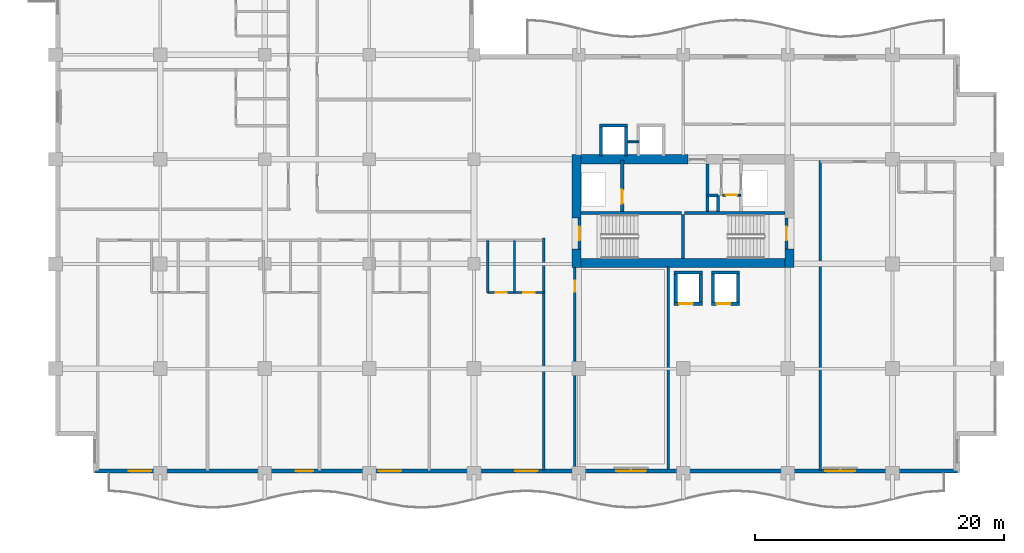
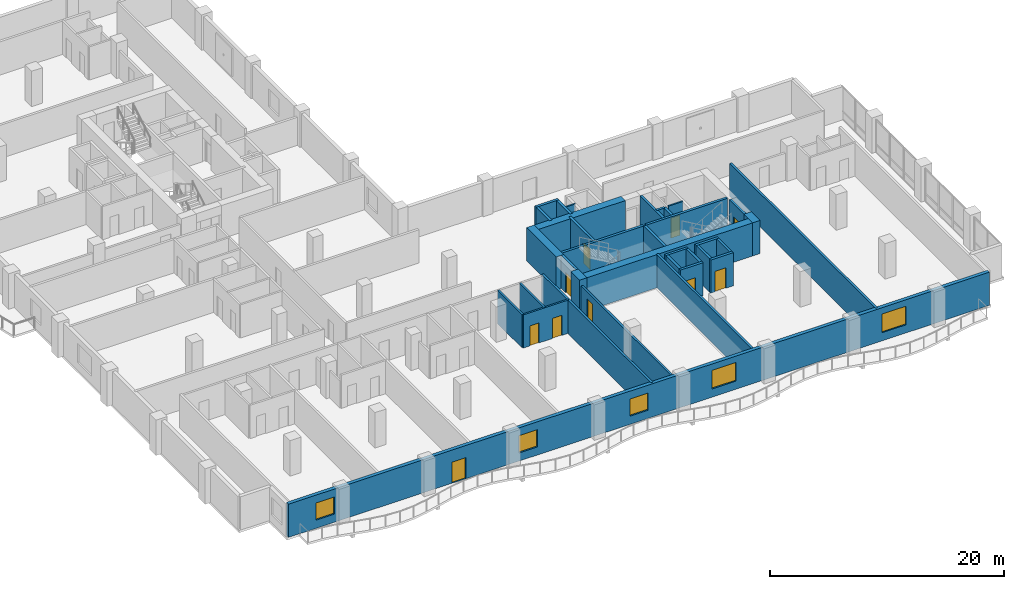
# One storey, part 10 of 22: 35 walls, 10 doors, 5 windows, 15 openings.
"""IFC4 building model written with IfcOpenShell, lengths in metres."""

from ifc_helpers import new_model, si_unit, direction, frame, frame_2d, origin, place, context, subcontext, project, spatial, rectangle, extrude, material, layer, layer_set, type_object, element, fill, save


model = new_model("IFC4")

# Units and contexts
model_context = context("Model", 3, precision=1e-05, world=origin(), true_north=direction((0.0, 1.0)))
body_context = subcontext(model_context, "Body", "Model", "MODEL_VIEW")
ifc_project = project(units=[si_unit("LENGTHUNIT", "METRE"), si_unit("AREAUNIT", "SQUARE_METRE"), si_unit("VOLUMEUNIT", "CUBIC_METRE"), si_unit("PLANEANGLEUNIT", "RADIAN"), si_unit("MASSUNIT", "GRAM", prefix="KILO")], contexts=[model_context])

# Site, building, storey
site_placement = place(None, origin())
site = spatial("IfcSite", under=ifc_project, at=site_placement, CompositionType="ELEMENT")
building_placement = place(site_placement, origin())
building = spatial("IfcBuilding", under=site, at=building_placement, Name="Koriwani Terraces Tower", CompositionType="ELEMENT")
storey_placement = place(building_placement, frame((0.0, 0.0, 168.0)))
storey = spatial("IfcBuildingStorey", under=building, at=storey_placement, Name="L40", CompositionType="ELEMENT", Elevation=168.0)

# Walls
ifc_material_1 = material(Name="Concrete C60/75", Category="concrete")
ifc_layer_1 = layer(ifc_material_1, 0.75, Name="Concrete C60/75")
ifc_layer_set_1 = layer_set([ifc_layer_1], Name="Concrete C60/75")
wall_type_1 = type_object("IfcWallType", Name="WALL_CORE_RC_750", PredefinedType="SHEAR", material=ifc_layer_set_1)
wall_1_placement = place(storey_placement, frame((41.824951171875, 16.5, 0.0), z_axis=(0.0, 0.0, 1.0), x_axis=(0.0, 1.0, 0.0)))
element("IfcWall", 1, at=wall_1_placement, inside=storey, type_object=wall_type_1, Name="L40 East Split Core Shear Wall W1", PredefinedType="SHEAR", context=body_context, shape_type="SweptSolid", body=[
    extrude(rectangle(XDim=1.5, YDim=0.75, at=frame_2d((0.75, 0.0))), origin(), (0.0, 0.0, 1.0), 3.469970703125),
])
wall_2_placement = place(storey_placement, frame((41.824951171875, 20.5, 0.0), z_axis=(0.0, 0.0, 1.0), x_axis=(0.0, 1.0, 0.0)))
element("IfcWall", 2, at=wall_2_placement, inside=storey, type_object=wall_type_1, Name="L40 East Split Core Shear Wall W2", PredefinedType="SHEAR", context=body_context, shape_type="SweptSolid", body=[
    extrude(rectangle(XDim=5.074951171875, YDim=0.75, at=frame_2d((2.53759765625, 0.0))), origin(), (0.0, 0.0, 1.0), 3.469970703125),
])
wall_3_placement = place(storey_placement, frame((58.925048828125, 16.5, 0.0), z_axis=(0.0, 0.0, 1.0), x_axis=(0.0, 1.0, 0.0)))
element("IfcWall", 3, at=wall_3_placement, inside=storey, type_object=wall_type_1, Name="L40 East Split Core Shear Wall E1", PredefinedType="SHEAR", context=body_context, shape_type="SweptSolid", body=[
    extrude(rectangle(XDim=1.5, YDim=0.75, at=frame_2d((0.75, 0.0))), origin(), (0.0, 0.0, 1.0), 3.469970703125),
])
wall_4_placement = place(storey_placement, frame((42.199951171875, 16.875, 0.0), z_axis=(0.0, 0.0, 1.0), x_axis=(1.0, 0.0, 0.0)))
element("IfcWall", 4, at=wall_4_placement, inside=storey, type_object=wall_type_1, Name="L40 East Split Core Shear Wall S1", PredefinedType="SHEAR", context=body_context, shape_type="SweptSolid", body=[
    extrude(rectangle(XDim=16.35009765625, YDim=0.75, at=frame_2d((8.175048828125, 0.0))), origin(), (0.0, 0.0, 1.0), 3.469970703125),
])
wall_5_placement = place(storey_placement, frame((42.199951171875, 25.199951171875, 0.0), z_axis=(0.0, 0.0, 1.0), x_axis=(1.0, 0.0, 0.0)))
element("IfcWall", 5, at=wall_5_placement, inside=storey, type_object=wall_type_1, Name="L40 East Split Core Shear Wall N1", PredefinedType="SHEAR", context=body_context, shape_type="SweptSolid", body=[
    extrude(rectangle(XDim=8.60009765625, YDim=0.75, at=frame_2d((4.300048828125, 0.0))), origin(), (0.0, 0.0, 1.0), 3.469970703125),
])

# Wall, opening, door
ifc_material_2 = material(Name="Autoclaved Cellular Concrete Blockwork", Category="masonry")
ifc_layer_2 = layer(ifc_material_2, 0.199951171875, Name="Autoclaved Cellular Concrete Blockwork")
ifc_layer_set_2 = layer_set([ifc_layer_2], Name="Autoclaved Cellular Concrete Blockwork")
wall_type_2 = type_object("IfcWallType", Name="WALL_CORRIDOR_200", PredefinedType="PARTITIONING", material=ifc_layer_set_2)
wall_6_placement = place(storey_placement, frame((41.699951171875, 0.35009765625, 0.0), z_axis=(0.0, 0.0, 1.0), x_axis=(0.0, 1.0, 0.0)))
wall_6 = element("IfcWall", 6, at=wall_6_placement, inside=storey, type_object=wall_type_2, Name="L40 Interior Wall WREC-EW-L40", PredefinedType="PARTITIONING", context=body_context, shape_type="SweptSolid", body=[
    extrude(rectangle(XDim=16.25, YDim=0.199951171875, at=frame_2d((8.125, 0.0))), origin(), (0.0, 0.0, 1.0), 2.820068359375),
])
opening_1_placement = place(wall_6_placement, frame((14.199951171875, 0.0, 0.0)))
opening_1 = element("IfcOpeningElement", 7, at=opening_1_placement, cuts=wall_6, Name="Opening D-06", PredefinedType="OPENING", context=body_context, shape_type="SweptSolid", body=[
    extrude(rectangle(XDim=0.919921875, YDim=2.10009765625, at=frame_2d((0.4599609375, 1.050048828125))), frame((0.0, 0.10986328125, 0.0), z_axis=(0.0, -1.0, 0.0), x_axis=(1.0, 0.0, 0.0)), (0.0, 0.0, 1.0), 0.219970703125),
])
ifc_material_3 = material(Name="Architectural Oak Fire Door", Category="wood")
door_type_1 = type_object("IfcDoorType", Name="DOOR_ROOM_INT_920X2100", OperationType="NOTDEFINED", PredefinedType="DOOR", material=ifc_material_3)
door_1_placement = place(opening_1_placement, origin())
door_1 = element("IfcDoor", 8, at=door_1_placement, inside=storey, type_object=door_type_1, Name="L40 Resident Co-Working Study Door", OperationType="SINGLE_SWING_LEFT", OverallHeight=2.10009765625, OverallWidth=0.919921875, PredefinedType="DOOR", context=body_context, shape_type="SweptSolid", body=[
    extrude(rectangle(XDim=0.919921875, YDim=2.10009765625, at=frame_2d((0.4599609375, 1.050048828125))), frame((0.0, 0.02490234375, 0.0), z_axis=(0.0, -1.0, 0.0), x_axis=(1.0, 0.0, 0.0)), (0.0, 0.0, 1.0), 0.050048828125),
])
fill(opening_1, door_1)

# Walls
ifc_layer_3 = layer(ifc_material_2, 0.219970703125, Name="Autoclaved Cellular Concrete Blockwork")
ifc_layer_set_3 = layer_set([ifc_layer_3], Name="Autoclaved Cellular Concrete Blockwork")
wall_type_3 = type_object("IfcWallType", Name="WALL_DEMISING_220", PredefinedType="PARTITIONING", material=ifc_layer_set_3)
wall_7_placement = place(storey_placement, frame((49.199951171875, 0.35009765625, 0.0), z_axis=(0.0, 0.0, 1.0), x_axis=(0.0, 1.0, 0.0)))
element("IfcWall", 9, at=wall_7_placement, inside=storey, type_object=wall_type_3, Name="L40 Interior Wall WREC-EE-L40", PredefinedType="PARTITIONING", context=body_context, shape_type="SweptSolid", body=[
    extrude(rectangle(XDim=16.25, YDim=0.219970703125, at=frame_2d((8.125, 0.0))), origin(), (0.0, 0.0, 1.0), 3.469970703125),
])
wall_8_placement = place(storey_placement, frame((39.199951171875, 0.199951171875, 0.0), z_axis=(0.0, 0.0, 1.0), x_axis=(0.0, 1.0, 0.0)))
element("IfcWall", 10, at=wall_8_placement, inside=storey, type_object=wall_type_3, Name="L40 Interior Wall WRDEME-L40-SW", PredefinedType="PARTITIONING", context=body_context, shape_type="SweptSolid", body=[
    extrude(rectangle(XDim=18.679931640625, YDim=0.219970703125, at=frame_2d((9.33984375, 0.0))), origin(), (0.0, 0.0, 1.0), 3.469970703125),
])
wall_9_placement = place(storey_placement, frame((61.39990234375, 0.199951171875, 0.0), z_axis=(0.0, 0.0, 1.0), x_axis=(0.0, 1.0, 0.0)))
element("IfcWall", 11, at=wall_9_placement, inside=storey, type_object=wall_type_3, Name="L40 Interior Wall WRDEM-L40-SE-0", PredefinedType="PARTITIONING", context=body_context, shape_type="SweptSolid", body=[
    extrude(rectangle(XDim=24.97998046875, YDim=0.219970703125, at=frame_2d((12.489990234375, 0.0))), origin(), (0.0, 0.0, 1.0), 3.469970703125),
])

# Wall, openings, door, windows
ifc_material_4 = material(Name="Concrete C50/60", Category="concrete")
ifc_layer_4 = layer(ifc_material_4, 0.35009765625, Name="Concrete C50/60")
ifc_layer_set_4 = layer_set([ifc_layer_4], Name="Concrete C50/60")
wall_type_4 = type_object("IfcWallType", Name="WALL_EXT_BRUTALIST_350", PredefinedType="STANDARD", material=ifc_layer_set_4)
wall_10_placement = place(storey_placement, frame((72.425048828125, 0.175048828125, 0.0), z_axis=(0.0, 0.0, 1.0), x_axis=(-1.0, 0.0, 0.0)))
wall_10 = element("IfcWall", 12, at=wall_10_placement, inside=storey, type_object=wall_type_4, Name="L40 Fair-Faced Brutalist Exterior Wall (S)", PredefinedType="STANDARD", context=body_context, shape_type="SweptSolid", body=[
    extrude(rectangle(XDim=69.25, YDim=0.35009765625, at=frame_2d((34.625, 0.0))), origin(), (0.0, 0.0, 1.0), 3.469970703125),
])
opening_2_placement = place(wall_10_placement, frame((51.72509765625, 0.0, 0.0)))
opening_2 = element("IfcOpeningElement", 13, at=opening_2_placement, cuts=wall_10, Name="Opening D-09", PredefinedType="OPENING", context=body_context, shape_type="SweptSolid", body=[
    extrude(rectangle(XDim=1.39990234375, YDim=2.199951171875, at=frame_2d((0.699951171875, 1.10009765625))), frame((0.0, 0.18505859375, 0.0), z_axis=(0.0, -1.0, 0.0), x_axis=(1.0, 0.0, 0.0)), (0.0, 0.0, 1.0), 0.3701171875),
])
opening_3_placement = place(wall_10_placement, frame((33.72509765625, 0.0, 0.85009765625)))
opening_3 = element("IfcOpeningElement", 14, at=opening_3_placement, cuts=wall_10, Name="Opening W-04", PredefinedType="OPENING", context=body_context, shape_type="SweptSolid", body=[
    extrude(rectangle(XDim=1.800048828125, YDim=1.800048828125, at=frame_2d((0.89990234375, 0.89990234375))), frame((0.0, 0.18505859375, 0.0), z_axis=(0.0, -1.0, 0.0), x_axis=(1.0, 0.0, 0.0)), (0.0, 0.0, 1.0), 0.3701171875),
])
opening_4_placement = place(wall_10_placement, frame((25.02490234375, 0.0, 0.85009765625)))
opening_4 = element("IfcOpeningElement", 15, at=opening_4_placement, cuts=wall_10, Name="Opening W-03", PredefinedType="OPENING", context=body_context, shape_type="SweptSolid", body=[
    extrude(rectangle(XDim=2.39990234375, YDim=1.949951171875, at=frame_2d((1.199951171875, 0.97509765625))), frame((0.0, 0.18505859375, 0.0), z_axis=(0.0, -1.0, 0.0), x_axis=(1.0, 0.0, 0.0)), (0.0, 0.0, 1.0), 0.3701171875),
])
opening_5_placement = place(wall_10_placement, frame((8.22509765625, 0.0, 0.85009765625)))
opening_5 = element("IfcOpeningElement", 16, at=opening_5_placement, cuts=wall_10, Name="Opening W-03", PredefinedType="OPENING", context=body_context, shape_type="SweptSolid", body=[
    extrude(rectangle(XDim=2.39990234375, YDim=1.949951171875, at=frame_2d((1.199951171875, 0.97509765625))), frame((0.0, 0.18505859375, 0.0), z_axis=(0.0, -1.0, 0.0), x_axis=(1.0, 0.0, 0.0)), (0.0, 0.0, 1.0), 0.3701171875),
])
opening_6_placement = place(wall_10_placement, frame((64.72509765625, 0.0, 0.85009765625)))
opening_6 = element("IfcOpeningElement", 17, at=opening_6_placement, cuts=wall_10, Name="Opening W-04", PredefinedType="OPENING", context=body_context, shape_type="SweptSolid", body=[
    extrude(rectangle(XDim=1.800048828125, YDim=1.800048828125, at=frame_2d((0.89990234375, 0.89990234375))), frame((0.0, 0.18505859375, 0.0), z_axis=(0.0, -1.0, 0.0), x_axis=(1.0, 0.0, 0.0)), (0.0, 0.0, 1.0), 0.3701171875),
])
opening_7_placement = place(wall_10_placement, frame((44.675048828125, 0.0, 0.85009765625)))
opening_7 = element("IfcOpeningElement", 18, at=opening_7_placement, cuts=wall_10, Name="Opening W-04", PredefinedType="OPENING", context=body_context, shape_type="SweptSolid", body=[
    extrude(rectangle(XDim=1.800048828125, YDim=1.800048828125, at=frame_2d((0.89990234375, 0.89990234375))), frame((0.0, 0.18505859375, 0.0), z_axis=(0.0, -1.0, 0.0), x_axis=(1.0, 0.0, 0.0)), (0.0, 0.0, 1.0), 0.3701171875),
])
ifc_material_5 = material(Name="Anodised Bronze Aluminium", Category="aluminium")
door_type_2 = type_object("IfcDoorType", Name="DOOR_BALCONY_GLAZED_1400X2200", OperationType="NOTDEFINED", PredefinedType="DOOR", material=ifc_material_5)
door_2_placement = place(opening_2_placement, origin())
door_2 = element("IfcDoor", 19, at=door_2_placement, inside=storey, type_object=door_type_2, Name="L40 South Balcony Glazed Door", OperationType="SINGLE_SWING_LEFT", OverallHeight=2.199951171875, OverallWidth=1.39990234375, PredefinedType="DOOR", context=body_context, shape_type="SweptSolid", body=[
    extrude(rectangle(XDim=1.39990234375, YDim=2.199951171875, at=frame_2d((0.699951171875, 1.10009765625))), frame((0.0, 0.02490234375, 0.0), z_axis=(0.0, -1.0, 0.0), x_axis=(1.0, 0.0, 0.0)), (0.0, 0.0, 1.0), 0.050048828125),
])
fill(opening_2, door_2)
ifc_material_6 = material(Name="Tempered Laminated Low-E Glass", Category="glass")
window_type_1 = type_object("IfcWindowType", Name="WIN_RES_BED_1800X1800", PartitioningType="DOUBLE_PANEL_VERTICAL", PredefinedType="WINDOW", material=ifc_material_6)
window_1_placement = place(opening_3_placement, origin())
window_1 = element("IfcWindow", 20, at=window_1_placement, inside=storey, type_object=window_type_1, Name="L40 Exterior Window (S-12)", OverallHeight=1.800048828125, OverallWidth=1.800048828125, PartitioningType="SINGLE_PANEL", PredefinedType="WINDOW", context=body_context, shape_type="SweptSolid", body=[
    extrude(rectangle(XDim=1.800048828125, YDim=1.800048828125, at=frame_2d((0.89990234375, 0.89990234375))), frame((0.0, 0.030029296875, 0.0), z_axis=(0.0, -1.0, 0.0), x_axis=(1.0, 0.0, 0.0)), (0.0, 0.0, 1.0), 0.06005859375),
])
fill(opening_3, window_1)
window_2_placement = place(opening_6_placement, origin())
window_2 = element("IfcWindow", 21, at=window_2_placement, inside=storey, type_object=window_type_1, Name="L40 Exterior Window (S-R35)", OverallHeight=1.800048828125, OverallWidth=1.800048828125, PartitioningType="SINGLE_PANEL", PredefinedType="WINDOW", context=body_context, shape_type="SweptSolid", body=[
    extrude(rectangle(XDim=1.800048828125, YDim=1.800048828125, at=frame_2d((0.89990234375, 0.89990234375))), frame((0.0, 0.030029296875, 0.0), z_axis=(0.0, -1.0, 0.0), x_axis=(1.0, 0.0, 0.0)), (0.0, 0.0, 1.0), 0.06005859375),
])
fill(opening_6, window_2)
window_3_placement = place(opening_7_placement, origin())
window_3 = element("IfcWindow", 22, at=window_3_placement, inside=storey, type_object=window_type_1, Name="L40 Exterior Window (S-R41)", OverallHeight=1.800048828125, OverallWidth=1.800048828125, PartitioningType="SINGLE_PANEL", PredefinedType="WINDOW", context=body_context, shape_type="SweptSolid", body=[
    extrude(rectangle(XDim=1.800048828125, YDim=1.800048828125, at=frame_2d((0.89990234375, 0.89990234375))), frame((0.0, 0.030029296875, 0.0), z_axis=(0.0, -1.0, 0.0), x_axis=(1.0, 0.0, 0.0)), (0.0, 0.0, 1.0), 0.06005859375),
])
fill(opening_7, window_3)
window_type_2 = type_object("IfcWindowType", Name="WIN_RES_LIVING_2400X1950", PartitioningType="DOUBLE_PANEL_VERTICAL", PredefinedType="WINDOW", material=ifc_material_6)
window_4_placement = place(opening_4_placement, origin())
window_4 = element("IfcWindow", 23, at=window_4_placement, inside=storey, type_object=window_type_2, Name="L40 Exterior Window (S-15)", OverallHeight=1.949951171875, OverallWidth=2.39990234375, PartitioningType="SINGLE_PANEL", PredefinedType="WINDOW", context=body_context, shape_type="SweptSolid", body=[
    extrude(rectangle(XDim=2.39990234375, YDim=1.949951171875, at=frame_2d((1.199951171875, 0.97509765625))), frame((0.0, 0.030029296875, 0.0), z_axis=(0.0, -1.0, 0.0), x_axis=(1.0, 0.0, 0.0)), (0.0, 0.0, 1.0), 0.06005859375),
])
fill(opening_4, window_4)
window_5_placement = place(opening_5_placement, origin())
window_5 = element("IfcWindow", 24, at=window_5_placement, inside=storey, type_object=window_type_2, Name="L40 Exterior Window (S-21)", OverallHeight=1.949951171875, OverallWidth=2.39990234375, PartitioningType="SINGLE_PANEL", PredefinedType="WINDOW", context=body_context, shape_type="SweptSolid", body=[
    extrude(rectangle(XDim=2.39990234375, YDim=1.949951171875, at=frame_2d((1.199951171875, 0.97509765625))), frame((0.0, 0.030029296875, 0.0), z_axis=(0.0, -1.0, 0.0), x_axis=(1.0, 0.0, 0.0)), (0.0, 0.0, 1.0), 0.06005859375),
])
fill(opening_5, window_5)

# Wall, openings, doors
ifc_material_7 = material(Name="Fire-Rated Acoustic Gypsum Partition", Category="masonry")
ifc_layer_5 = layer(ifc_material_7, 0.179931640625, Name="Fire-Rated Acoustic Gypsum Partition")
ifc_layer_set_5 = layer_set([ifc_layer_5], Name="Fire-Rated Acoustic Gypsum Partition")
wall_type_5 = type_object("IfcWallType", Name="WALL_PLUMBING_180", PredefinedType="PLUMBINGWALL", material=ifc_layer_set_5)
wall_11_placement = place(storey_placement, frame((34.699951171875, 14.5, 0.0), z_axis=(0.0, 0.0, 1.0), x_axis=(1.0, 0.0, 0.0)))
wall_11 = element("IfcWall", 25, at=wall_11_placement, inside=storey, type_object=wall_type_5, Name="L40 Interior Wall WRSVC-L40-SW-3", PredefinedType="PLUMBINGWALL", context=body_context, shape_type="SweptSolid", body=[
    extrude(rectangle(XDim=4.5, YDim=0.179931640625, at=frame_2d((2.25, 0.0))), origin(), (0.0, 0.0, 1.0), 3.469970703125),
])
opening_8_placement = place(wall_11_placement, frame((0.6298828125, 0.0, 0.0)))
opening_8 = element("IfcOpeningElement", 26, at=opening_8_placement, cuts=wall_11, Name="Opening D-07", PredefinedType="OPENING", context=body_context, shape_type="SweptSolid", body=[
    extrude(rectangle(XDim=0.89990234375, YDim=2.10009765625, at=frame_2d((0.449951171875, 1.050048828125))), frame((0.0, 0.10009765625, 0.0), z_axis=(0.0, -1.0, 0.0), x_axis=(1.0, 0.0, 0.0)), (0.0, 0.0, 1.0), 0.199951171875),
])
opening_9_placement = place(wall_11_placement, frame((2.8701171875, 0.0, 0.0)))
opening_9 = element("IfcOpeningElement", 27, at=opening_9_placement, cuts=wall_11, Name="Opening D-06", PredefinedType="OPENING", context=body_context, shape_type="SweptSolid", body=[
    extrude(rectangle(XDim=0.919921875, YDim=2.10009765625, at=frame_2d((0.4599609375, 1.050048828125))), frame((0.0, 0.10009765625, 0.0), z_axis=(0.0, -1.0, 0.0), x_axis=(1.0, 0.0, 0.0)), (0.0, 0.0, 1.0), 0.199951171875),
])
door_type_3 = type_object("IfcDoorType", Name="DOOR_BATH_INT_900X2100", OperationType="NOTDEFINED", PredefinedType="DOOR", material=ifc_material_3)
door_3_placement = place(opening_8_placement, origin())
door_3 = element("IfcDoor", 28, at=door_3_placement, inside=storey, type_object=door_type_3, Name="Apartment 40SW4 Bathroom Door", OperationType="SINGLE_SWING_RIGHT", OverallHeight=2.10009765625, OverallWidth=0.89990234375, PredefinedType="DOOR", context=body_context, shape_type="SweptSolid", body=[
    extrude(rectangle(XDim=0.89990234375, YDim=2.10009765625, at=frame_2d((0.449951171875, 1.050048828125))), frame((0.0, 0.02490234375, 0.0), z_axis=(0.0, -1.0, 0.0), x_axis=(1.0, 0.0, 0.0)), (0.0, 0.0, 1.0), 0.050048828125),
])
fill(opening_8, door_3)
door_4_placement = place(opening_9_placement, origin())
door_4 = element("IfcDoor", 29, at=door_4_placement, inside=storey, type_object=door_type_1, Name="Apartment 40SW4 Kitchen Door", OperationType="SINGLE_SWING_LEFT", OverallHeight=2.10009765625, OverallWidth=0.919921875, PredefinedType="DOOR", context=body_context, shape_type="SweptSolid", body=[
    extrude(rectangle(XDim=0.919921875, YDim=2.10009765625, at=frame_2d((0.4599609375, 1.050048828125))), frame((0.0, 0.02490234375, 0.0), z_axis=(0.0, -1.0, 0.0), x_axis=(1.0, 0.0, 0.0)), (0.0, 0.0, 1.0), 0.050048828125),
])
fill(opening_9, door_4)

# Walls
for number, where, z_axis, x_axis, name in (
    (30, (34.699951171875, 14.5, 0.0), (0.0, 0.0, 1.0), (0.0, 1.0, 0.0), "L40 Interior Wall WRSVCS-L40-SW-3"),
    (31, (36.860107421875, 14.5, 0.0), (0.0, 0.0, 1.0), (0.0, 1.0, 0.0), "L40 Interior Wall WRSVCM-L40-SW-3"),
):
    element("IfcWall", number, at=place(storey_placement, frame(where, z_axis=z_axis, x_axis=x_axis)), inside=storey, type_object=wall_type_5, Name=name, PredefinedType="PLUMBINGWALL", context=body_context, shape_type="SweptSolid", body=[
        extrude(rectangle(XDim=4.199951171875, YDim=0.179931640625, at=frame_2d((2.10009765625, 0.0))), origin(), (0.0, 0.0, 1.0), 3.469970703125),
    ])
ifc_material_8 = material(Name="Concrete C40/50", Category="concrete")
ifc_layer_6 = layer(ifc_material_8, 0.25, Name="Concrete C40/50")
ifc_layer_set_6 = layer_set([ifc_layer_6], Name="Concrete C40/50")
wall_type_6 = type_object("IfcWallType", Name="WALL_SHAFT_RATED_250", PredefinedType="SOLIDWALL", material=ifc_layer_set_6)
for number, where, z_axis, x_axis, name in (
    (32, (42.199951171875, 20.875, 0.0), (0.0, 0.0, 1.0), (1.0, 0.0, 0.0), "L40 East Split Core Web Wall MID1"),
    (33, (50.5, 20.875, 0.0), (0.0, 0.0, 1.0), (1.0, 0.0, 0.0), "L40 East Split Core Web Wall MID2"),
):
    element("IfcWall", number, at=place(storey_placement, frame(where, z_axis=z_axis, x_axis=x_axis)), inside=storey, type_object=wall_type_6, Name=name, PredefinedType="SOLIDWALL", context=body_context, shape_type="SweptSolid", body=[
        extrude(rectangle(XDim=8.050048828125, YDim=0.25, at=frame_2d((4.02490234375, 0.0))), origin(), (0.0, 0.0, 1.0), 3.469970703125),
    ])
wall_12_placement = place(storey_placement, frame((50.375, 17.25, 0.0), z_axis=(0.0, 0.0, 1.0), x_axis=(0.0, 1.0, 0.0)))
element("IfcWall", 34, at=wall_12_placement, inside=storey, type_object=wall_type_6, Name="L40 East Split Core Stair Dividing Wall", PredefinedType="SOLIDWALL", context=body_context, shape_type="SweptSolid", body=[
    extrude(rectangle(XDim=3.5, YDim=0.25, at=frame_2d((1.75, 0.0))), origin(), (0.0, 0.0, 1.0), 3.469970703125),
])

# Wall, opening, door
wall_13_placement = place(storey_placement, frame((42.074951171875, 18.0, 0.0), z_axis=(0.0, 0.0, 1.0), x_axis=(0.0, 1.0, 0.0)))
wall_13 = element("IfcWall", 35, at=wall_13_placement, inside=storey, type_object=wall_type_6, Name="L40 Interior Wall WIN-CE-L40-STW", PredefinedType="SOLIDWALL", context=body_context, shape_type="SweptSolid", body=[
    extrude(rectangle(XDim=2.5, YDim=0.25, at=frame_2d((1.25, 0.0))), origin(), (0.0, 0.0, 1.0), 3.469970703125),
])
opening_10_placement = place(wall_13_placement, frame((0.699951171875, 0.0, 0.0)))
opening_10 = element("IfcOpeningElement", 36, at=opening_10_placement, cuts=wall_13, Name="Opening D-03", PredefinedType="OPENING", context=body_context, shape_type="SweptSolid", body=[
    extrude(rectangle(XDim=1.10009765625, YDim=2.14990234375, at=frame_2d((0.550048828125, 1.074951171875))), frame((0.0, 0.135009765625, 0.0), z_axis=(0.0, -1.0, 0.0), x_axis=(1.0, 0.0, 0.0)), (0.0, 0.0, 1.0), 0.27001953125),
])
ifc_material_9 = material(Name="Steel ASTM A572 Grade 50", Category="steel")
door_type_4 = type_object("IfcDoorType", Name="DOOR_STAIR_FIRE_1100X2150", OperationType="NOTDEFINED", PredefinedType="DOOR", material=ifc_material_9)
door_5_placement = place(opening_10_placement, origin())
door_5 = element("IfcDoor", 37, at=door_5_placement, inside=storey, type_object=door_type_4, Name="L40 Exit Stair ST-E1 Door", OperationType="SINGLE_SWING_RIGHT", OverallHeight=2.14990234375, OverallWidth=1.10009765625, PredefinedType="DOOR", context=body_context, shape_type="SweptSolid", body=[
    extrude(rectangle(XDim=1.10009765625, YDim=2.14990234375, at=frame_2d((0.550048828125, 1.074951171875))), frame((0.0, 0.02490234375, 0.0), z_axis=(0.0, -1.0, 0.0), x_axis=(1.0, 0.0, 0.0)), (0.0, 0.0, 1.0), 0.050048828125),
])
fill(opening_10, door_5)

wall_14_placement = place(storey_placement, frame((58.675048828125, 18.0, 0.0), z_axis=(0.0, 0.0, 1.0), x_axis=(0.0, 1.0, 0.0)))
wall_14 = element("IfcWall", 38, at=wall_14_placement, inside=storey, type_object=wall_type_6, Name="L40 Interior Wall WIN-CE-L40-STE", PredefinedType="SOLIDWALL", context=body_context, shape_type="SweptSolid", body=[
    extrude(rectangle(XDim=2.5, YDim=0.25, at=frame_2d((1.25, 0.0))), origin(), (0.0, 0.0, 1.0), 3.469970703125),
])
opening_11_placement = place(wall_14_placement, frame((0.699951171875, 0.0, 0.0)))
opening_11 = element("IfcOpeningElement", 39, at=opening_11_placement, cuts=wall_14, Name="Opening D-03", PredefinedType="OPENING", context=body_context, shape_type="SweptSolid", body=[
    extrude(rectangle(XDim=1.10009765625, YDim=2.14990234375, at=frame_2d((0.550048828125, 1.074951171875))), frame((0.0, 0.135009765625, 0.0), z_axis=(0.0, -1.0, 0.0), x_axis=(1.0, 0.0, 0.0)), (0.0, 0.0, 1.0), 0.27001953125),
])
door_6_placement = place(opening_11_placement, origin())
door_6 = element("IfcDoor", 40, at=door_6_placement, inside=storey, type_object=door_type_4, Name="L40 Exit Stair ST-E2 Door", OperationType="SINGLE_SWING_LEFT", OverallHeight=2.14990234375, OverallWidth=1.10009765625, PredefinedType="DOOR", context=body_context, shape_type="SweptSolid", body=[
    extrude(rectangle(XDim=1.10009765625, YDim=2.14990234375, at=frame_2d((0.550048828125, 1.074951171875))), frame((0.0, 0.02490234375, 0.0), z_axis=(0.0, -1.0, 0.0), x_axis=(1.0, 0.0, 0.0)), (0.0, 0.0, 1.0), 0.050048828125),
])
fill(opening_11, door_6)

wall_15_placement = place(storey_placement, frame((45.5, 21.0, 0.0), z_axis=(0.0, 0.0, 1.0), x_axis=(0.0, 1.0, 0.0)))
wall_15 = element("IfcWall", 41, at=wall_15_placement, inside=storey, type_object=wall_type_6, Name="L40 Interior Wall WIN-CE-L40-FE", PredefinedType="SOLIDWALL", context=body_context, shape_type="SweptSolid", body=[
    extrude(rectangle(XDim=4.14990234375, YDim=0.25, at=frame_2d((2.074951171875, 0.0))), origin(), (0.0, 0.0, 1.0), 3.469970703125),
])
opening_12_placement = place(wall_15_placement, frame((0.64990234375, 0.0, 0.0)))
opening_12 = element("IfcOpeningElement", 42, at=opening_12_placement, cuts=wall_15, Name="Opening LD-01", PredefinedType="OPENING", context=body_context, shape_type="SweptSolid", body=[
    extrude(rectangle(XDim=1.10009765625, YDim=2.14990234375, at=frame_2d((0.550048828125, 1.074951171875))), frame((0.0, 0.135009765625, 0.0), z_axis=(0.0, -1.0, 0.0), x_axis=(1.0, 0.0, 0.0)), (0.0, 0.0, 1.0), 0.27001953125),
])
door_type_5 = type_object("IfcDoorType", Name="DOOR_LIFT_LANDING_1100X2200", OperationType="NOTDEFINED", PredefinedType="DOOR", material=ifc_material_9)
door_7_placement = place(opening_12_placement, origin())
door_7 = element("IfcDoor", 43, at=door_7_placement, inside=storey, type_object=door_type_5, Name="L40 Firefighting Lift FE-02 Landing Door", OperationType="SLIDING_TO_LEFT", OverallHeight=2.14990234375, OverallWidth=1.10009765625, PredefinedType="DOOR", context=body_context, shape_type="SweptSolid", body=[
    extrude(rectangle(XDim=1.10009765625, YDim=2.14990234375, at=frame_2d((0.550048828125, 1.074951171875))), frame((0.0, 0.02490234375, 0.0), z_axis=(0.0, -1.0, 0.0), x_axis=(1.0, 0.0, 0.0)), (0.0, 0.0, 1.0), 0.050048828125),
])
fill(opening_12, door_7)

# Walls
wall_16_placement = place(storey_placement, frame((52.340087890625, 21.0, 0.0), z_axis=(0.0, 0.0, 1.0), x_axis=(0.0, 1.0, 0.0)))
element("IfcWall", 44, at=wall_16_placement, inside=storey, type_object=wall_type_6, Name="L40 Interior Wall WIN-CE-L40-FFE", PredefinedType="SOLIDWALL", context=body_context, shape_type="SweptSolid", body=[
    extrude(rectangle(XDim=3.824951171875, YDim=0.25, at=frame_2d((1.91259765625, 0.0))), origin(), (0.0, 0.0, 1.0), 3.469970703125),
])
wall_17_placement = place(storey_placement, frame((53.199951171875, 21.0, 0.0), z_axis=(0.0, 0.0, 1.0), x_axis=(0.0, 1.0, 0.0)))
element("IfcWall", 45, at=wall_17_placement, inside=storey, type_object=wall_type_6, Name="L40 Interior Wall WIN-CE-L40-RS1", PredefinedType="SOLIDWALL", context=body_context, shape_type="SweptSolid", body=[
    extrude(rectangle(XDim=1.300048828125, YDim=0.25, at=frame_2d((0.64990234375, 0.0))), origin(), (0.0, 0.0, 1.0), 3.469970703125),
])
wall_18_placement = place(storey_placement, frame((52.360107421875, 22.300048828125, 0.0), z_axis=(0.0, 0.0, 1.0), x_axis=(1.0, 0.0, 0.0)))
element("IfcWall", 46, at=wall_18_placement, inside=storey, type_object=wall_type_6, Name="L40 Interior Wall WIN-CE-L40-RS2", PredefinedType="SOLIDWALL", context=body_context, shape_type="SweptSolid", body=[
    extrude(rectangle(XDim=0.83984375, YDim=0.25, at=frame_2d((0.419921875, 0.0))), origin(), (0.0, 0.0, 1.0), 3.469970703125),
])

# Wall, opening, door
wall_19_placement = place(storey_placement, frame((49.675048828125, 13.60009765625, 0.0), z_axis=(0.0, 0.0, 1.0), x_axis=(1.0, 0.0, 0.0)))
wall_19 = element("IfcWall", 47, at=wall_19_placement, inside=storey, type_object=wall_type_6, Name="L40 Interior Wall WIN-LF-PE-M3-L40-F", PredefinedType="SOLIDWALL", context=body_context, shape_type="SweptSolid", body=[
    extrude(rectangle(XDim=2.25, YDim=0.25, at=frame_2d((1.125, 0.0))), origin(), (0.0, 0.0, 1.0), 3.469970703125),
])
opening_13_placement = place(wall_19_placement, frame((0.39990234375, 0.0, 0.0)))
opening_13 = element("IfcOpeningElement", 48, at=opening_13_placement, cuts=wall_19, Name="Opening LD-01", PredefinedType="OPENING", context=body_context, shape_type="SweptSolid", body=[
    extrude(rectangle(XDim=1.10009765625, YDim=2.14990234375, at=frame_2d((0.550048828125, 1.074951171875))), frame((0.0, 0.135009765625, 0.0), z_axis=(0.0, -1.0, 0.0), x_axis=(1.0, 0.0, 0.0)), (0.0, 0.0, 1.0), 0.27001953125),
])
door_8_placement = place(opening_13_placement, origin())
door_8 = element("IfcDoor", 49, at=door_8_placement, inside=storey, type_object=door_type_5, Name="L40 Passenger Lift PE-M3 Landing Door", OperationType="SLIDING_TO_LEFT", OverallHeight=2.14990234375, OverallWidth=1.10009765625, PredefinedType="DOOR", context=body_context, shape_type="SweptSolid", body=[
    extrude(rectangle(XDim=1.10009765625, YDim=2.14990234375, at=frame_2d((0.550048828125, 1.074951171875))), frame((0.0, 0.02490234375, 0.0), z_axis=(0.0, -1.0, 0.0), x_axis=(1.0, 0.0, 0.0)), (0.0, 0.0, 1.0), 0.050048828125),
])
fill(opening_13, door_8)

# Walls
for number, where, z_axis, x_axis, name in (
    (50, (49.675048828125, 16.10009765625, 0.0), (0.0, 0.0, 1.0), (1.0, 0.0, 0.0), "L40 Interior Wall WIN-LF-PE-M3-L40-B"),
    (51, (49.800048828125, 13.72509765625, 0.0), (0.0, 0.0, 1.0), (0.0, 1.0, 0.0), "L40 Interior Wall WIN-LF-PE-M3-L40-W"),
    (52, (51.800048828125, 13.72509765625, 0.0), (0.0, 0.0, 1.0), (0.0, 1.0, 0.0), "L40 Interior Wall WIN-LF-PE-M3-L40-E"),
):
    element("IfcWall", number, at=place(storey_placement, frame(where, z_axis=z_axis, x_axis=x_axis)), inside=storey, type_object=wall_type_6, Name=name, PredefinedType="SOLIDWALL", context=body_context, shape_type="SweptSolid", body=[
        extrude(rectangle(XDim=2.25, YDim=0.25, at=frame_2d((1.125, 0.0))), origin(), (0.0, 0.0, 1.0), 3.469970703125),
    ])

# Wall, opening, door
wall_20_placement = place(storey_placement, frame((52.675048828125, 13.60009765625, 0.0), z_axis=(0.0, 0.0, 1.0), x_axis=(1.0, 0.0, 0.0)))
wall_20 = element("IfcWall", 53, at=wall_20_placement, inside=storey, type_object=wall_type_6, Name="L40 Interior Wall WIN-LF-PE-M4-L40-F", PredefinedType="SOLIDWALL", context=body_context, shape_type="SweptSolid", body=[
    extrude(rectangle(XDim=2.25, YDim=0.25, at=frame_2d((1.125, 0.0))), origin(), (0.0, 0.0, 1.0), 3.469970703125),
])
opening_14_placement = place(wall_20_placement, frame((0.39990234375, 0.0, 0.0)))
opening_14 = element("IfcOpeningElement", 54, at=opening_14_placement, cuts=wall_20, Name="Opening LD-01", PredefinedType="OPENING", context=body_context, shape_type="SweptSolid", body=[
    extrude(rectangle(XDim=1.10009765625, YDim=2.14990234375, at=frame_2d((0.550048828125, 1.074951171875))), frame((0.0, 0.135009765625, 0.0), z_axis=(0.0, -1.0, 0.0), x_axis=(1.0, 0.0, 0.0)), (0.0, 0.0, 1.0), 0.27001953125),
])
door_9_placement = place(opening_14_placement, origin())
door_9 = element("IfcDoor", 55, at=door_9_placement, inside=storey, type_object=door_type_5, Name="L40 Passenger Lift PE-M4 Landing Door", OperationType="SLIDING_TO_LEFT", OverallHeight=2.14990234375, OverallWidth=1.10009765625, PredefinedType="DOOR", context=body_context, shape_type="SweptSolid", body=[
    extrude(rectangle(XDim=1.10009765625, YDim=2.14990234375, at=frame_2d((0.550048828125, 1.074951171875))), frame((0.0, 0.02490234375, 0.0), z_axis=(0.0, -1.0, 0.0), x_axis=(1.0, 0.0, 0.0)), (0.0, 0.0, 1.0), 0.050048828125),
])
fill(opening_14, door_9)

# Walls
for number, where, z_axis, x_axis, name in (
    (56, (52.675048828125, 16.10009765625, 0.0), (0.0, 0.0, 1.0), (1.0, 0.0, 0.0), "L40 Interior Wall WIN-LF-PE-M4-L40-B"),
    (57, (52.800048828125, 13.72509765625, 0.0), (0.0, 0.0, 1.0), (0.0, 1.0, 0.0), "L40 Interior Wall WIN-LF-PE-M4-L40-W"),
    (58, (54.800048828125, 13.72509765625, 0.0), (0.0, 0.0, 1.0), (0.0, 1.0, 0.0), "L40 Interior Wall WIN-LF-PE-M4-L40-E"),
    (59, (43.675048828125, 27.89990234375, 0.0), (0.0, 0.0, 1.0), (1.0, 0.0, 0.0), "L40 Interior Wall WIN-LF-PE-H3-L40-F"),
):
    element("IfcWall", number, at=place(storey_placement, frame(where, z_axis=z_axis, x_axis=x_axis)), inside=storey, type_object=wall_type_6, Name=name, PredefinedType="SOLIDWALL", context=body_context, shape_type="SweptSolid", body=[
        extrude(rectangle(XDim=2.25, YDim=0.25, at=frame_2d((1.125, 0.0))), origin(), (0.0, 0.0, 1.0), 3.469970703125),
    ])
for number, where, z_axis, x_axis, name in (
    (60, (43.800048828125, 25.449951171875, 0.0), (0.0, 0.0, 1.0), (0.0, 1.0, 0.0), "L40 Interior Wall WIN-LF-PE-H3-L40-W"),
    (61, (45.800048828125, 25.449951171875, 0.0), (0.0, 0.0, 1.0), (0.0, 1.0, 0.0), "L40 Interior Wall WIN-LF-PE-H3-L40-E"),
):
    element("IfcWall", number, at=place(storey_placement, frame(where, z_axis=z_axis, x_axis=x_axis)), inside=storey, type_object=wall_type_6, Name=name, PredefinedType="SOLIDWALL", context=body_context, shape_type="SweptSolid", body=[
        extrude(rectangle(XDim=2.324951171875, YDim=0.25, at=frame_2d((1.16259765625, 0.0))), origin(), (0.0, 0.0, 1.0), 3.469970703125),
    ])

# Wall, opening, door
ifc_layer_7 = layer(ifc_material_7, 0.159912109375, Name="Fire-Rated Acoustic Gypsum Partition")
ifc_layer_set_7 = layer_set([ifc_layer_7], Name="Fire-Rated Acoustic Gypsum Partition")
wall_type_7 = type_object("IfcWallType", Name="WALL_SUITE_160", PredefinedType="PARTITIONING", material=ifc_layer_set_7)
wall_21_placement = place(storey_placement, frame((53.56005859375, 22.320068359375, 0.0), z_axis=(0.0, 0.0, 1.0), x_axis=(1.0, 0.0, 0.0)))
wall_21 = element("IfcWall", 62, at=wall_21_placement, inside=storey, type_object=wall_type_7, Name="L40 Interior Wall WIN-CE-L40-SV1A", PredefinedType="PARTITIONING", context=body_context, shape_type="SweptSolid", body=[
    extrude(rectangle(XDim=1.43994140625, YDim=0.159912109375, at=frame_2d((0.719970703125, 0.0))), origin(), (0.0, 0.0, 1.0), 3.469970703125),
])
opening_15_placement = place(wall_21_placement, frame((0.260009765625, 0.0, 0.0)))
opening_15 = element("IfcOpeningElement", 63, at=opening_15_placement, cuts=wall_21, Name="Opening D-07", PredefinedType="OPENING", context=body_context, shape_type="SweptSolid", body=[
    extrude(rectangle(XDim=0.89990234375, YDim=2.10009765625, at=frame_2d((0.449951171875, 1.050048828125))), frame((0.0, 0.08984375, 0.0), z_axis=(0.0, -1.0, 0.0), x_axis=(1.0, 0.0, 0.0)), (0.0, 0.0, 1.0), 0.179931640625),
])
door_10_placement = place(opening_15_placement, origin())
door_10 = element("IfcDoor", 64, at=door_10_placement, inside=storey, type_object=door_type_3, Name="L40 East Telecom Room Door", OperationType="SINGLE_SWING_RIGHT", OverallHeight=2.10009765625, OverallWidth=0.89990234375, PredefinedType="DOOR", context=body_context, shape_type="SweptSolid", body=[
    extrude(rectangle(XDim=0.89990234375, YDim=2.10009765625, at=frame_2d((0.449951171875, 1.050048828125))), frame((0.0, 0.02490234375, 0.0), z_axis=(0.0, -1.0, 0.0), x_axis=(1.0, 0.0, 0.0)), (0.0, 0.0, 1.0), 0.050048828125),
])
fill(opening_15, door_10)

# Wall
wall_22_placement = place(storey_placement, frame((45.9599609375, 26.60009765625, 0.0), z_axis=(0.0, 0.0, 1.0), x_axis=(1.0, 0.0, 0.0)))
element("IfcWall", 65, at=wall_22_placement, inside=storey, type_object=wall_type_7, Name="L40 Interior Wall WIN-LF-PEH34-MID-L40", PredefinedType="PARTITIONING", context=body_context, shape_type="SweptSolid", body=[
    extrude(rectangle(XDim=0.880126953125, YDim=0.159912109375, at=frame_2d((0.43994140625, 0.0))), origin(), (0.0, 0.0, 1.0), 3.469970703125),
])

save(model, "model.ifc")
